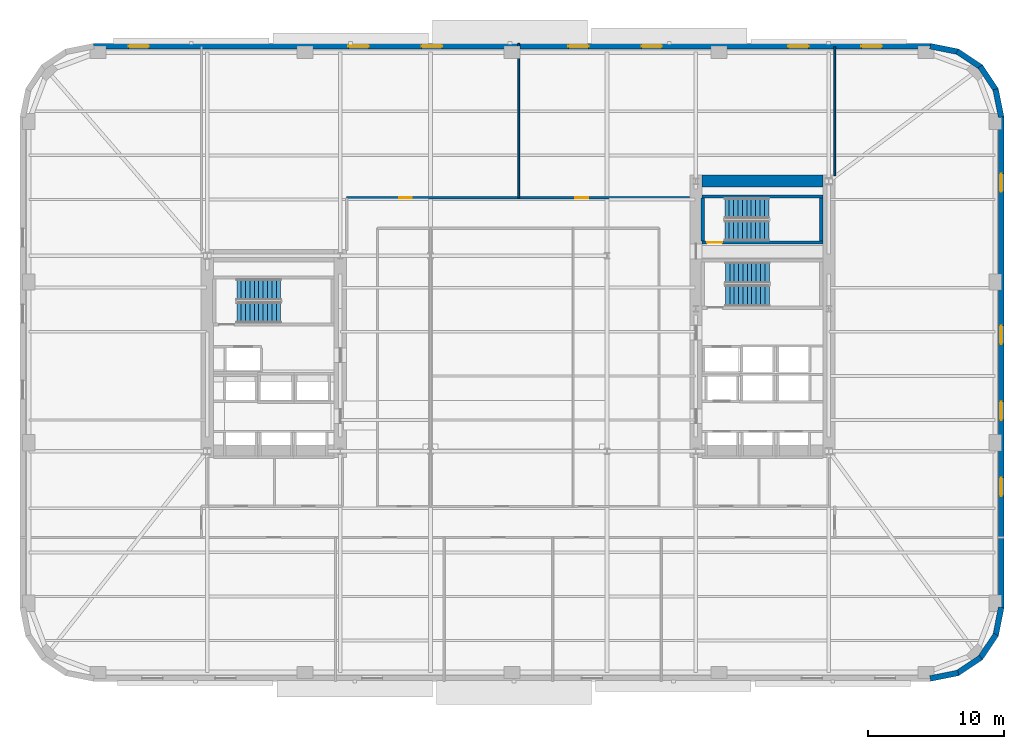
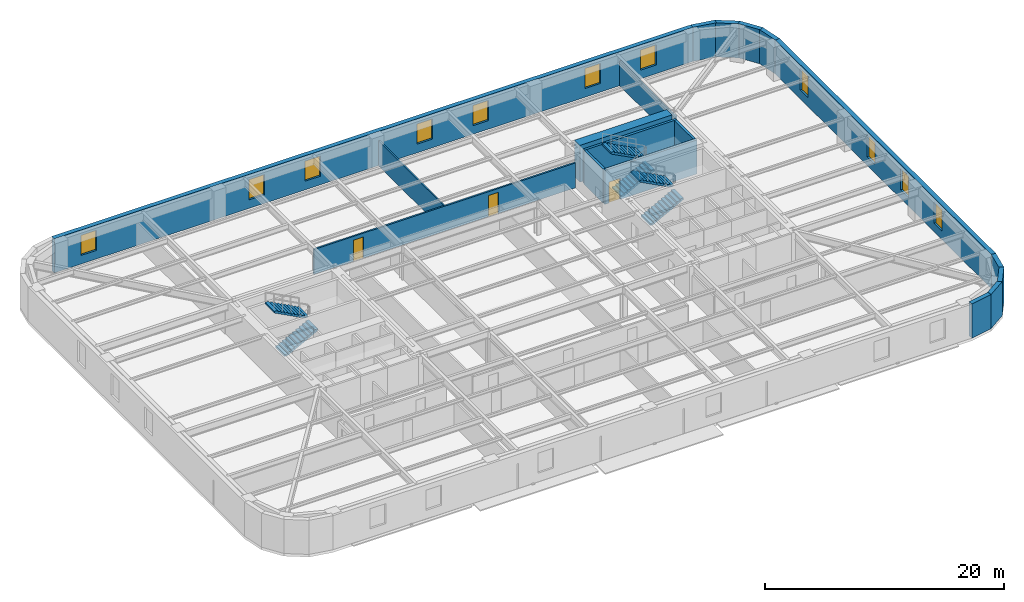
# One storey, part 7 of 14: 18 walls, 11 windows, 6 stair flights, 3 doors, 14 openings, 3 elements without a shape of their own.
"""IFC4 building model written with IfcOpenShell, lengths in metres."""

from ifc_helpers import new_model, si_unit, direction, frame, frame_2d, origin, place, context, subcontext, project, spatial, polyline, rectangle, outline, extrude, material, layer, layer_set, type_object, element, fill, aggregate, save


model = new_model("IFC4")

# Units and contexts
model_context = context("Model", 3, precision=1e-05, world=origin(), true_north=direction((0.0, 1.0)))
body_context = subcontext(model_context, "Body", "Model", "MODEL_VIEW")
ifc_project = project(units=[si_unit("LENGTHUNIT", "METRE"), si_unit("AREAUNIT", "SQUARE_METRE"), si_unit("VOLUMEUNIT", "CUBIC_METRE"), si_unit("PLANEANGLEUNIT", "RADIAN"), si_unit("MASSUNIT", "GRAM", prefix="KILO")], contexts=[model_context])

# Site, building, storey
site_placement = place(None, origin())
site = spatial("IfcSite", under=ifc_project, at=site_placement, CompositionType="ELEMENT")
building_placement = place(site_placement, origin())
building = spatial("IfcBuilding", under=site, at=building_placement, Name="Kolvaren Arena Tower", CompositionType="ELEMENT")
storey_placement = place(building_placement, frame((0.0, 0.0, 57.0)))
storey = spatial("IfcBuildingStorey", under=building, at=storey_placement, Name="L11", CompositionType="ELEMENT", Elevation=57.0)

# Wall, openings, doors
ifc_material_1 = material(Name="Gypsum board acoustic assembly", Category="gypsum")
ifc_layer_1 = layer(ifc_material_1, 0.159912109375)
ifc_layer_set_1 = layer_set([ifc_layer_1], Name="Gypsum board acoustic assembly")
wall_type_1 = type_object("IfcWallType", Name="CORR-160", PredefinedType="PARTITIONING", material=ifc_layer_set_1)
wall_1_placement = place(storey_placement, frame((24.820068359375, 38.1201171875, 0.0), z_axis=(0.0, 0.0, 1.0), x_axis=(1.0, 0.0, 0.0)))
wall_1 = element("IfcWall", 1, at=wall_1_placement, inside=storey, type_object=wall_type_1, Name="Interior Partition Wall (L11)", PredefinedType="PARTITIONING", context=body_context, shape_type="SweptSolid", body=[
    extrude(rectangle(XDim=25.260009765625, YDim=0.159912109375, at=frame_2d((12.6298828125, 0.0))), origin(), (0.0, 0.0, 1.0), 2.5400390625),
])
opening_1_placement = place(wall_1_placement, frame((3.85498046875, 0.0, 0.0)))
opening_1 = element("IfcOpeningElement", 2, at=opening_1_placement, cuts=wall_1, Name="Opening D05", PredefinedType="OPENING", context=body_context, shape_type="SweptSolid", body=[
    extrude(rectangle(XDim=0.949951171875, YDim=2.14990234375, at=frame_2d((0.47509765625, 1.074951171875))), frame((0.0, 0.08984375, 0.0), z_axis=(0.0, -1.0, 0.0), x_axis=(1.0, 0.0, 0.0)), (0.0, 0.0, 1.0), 0.179931640625),
])
opening_2_placement = place(wall_1_placement, frame((16.85498046875, 0.0, 0.0)))
opening_2 = element("IfcOpeningElement", 3, at=opening_2_placement, cuts=wall_1, Name="Opening D05", PredefinedType="OPENING", context=body_context, shape_type="SweptSolid", body=[
    extrude(rectangle(XDim=0.949951171875, YDim=2.14990234375, at=frame_2d((0.47509765625, 1.074951171875))), frame((0.0, 0.08984375, 0.0), z_axis=(0.0, -1.0, 0.0), x_axis=(1.0, 0.0, 0.0)), (0.0, 0.0, 1.0), 0.179931640625),
])
ifc_material_2 = material(Name="Solid-core oak acoustic office door", Category="wood")
door_type_1 = type_object("IfcDoorType", Name="DOOR-OF-095", OperationType="NOTDEFINED", PredefinedType="DOOR", material=ifc_material_2)
door_1_placement = place(opening_1_placement, origin())
door_1 = element("IfcDoor", 4, at=door_1_placement, inside=storey, type_object=door_type_1, Name="Design Studio Door (L11)", OperationType="SINGLE_SWING_RIGHT", OverallHeight=2.14990234375, OverallWidth=0.949951171875, PredefinedType="DOOR", context=body_context, shape_type="SweptSolid", body=[
    extrude(rectangle(XDim=0.949951171875, YDim=2.14990234375, at=frame_2d((0.47509765625, 1.074951171875))), frame((0.0, 0.02490234375, 0.0), z_axis=(0.0, -1.0, 0.0), x_axis=(1.0, 0.0, 0.0)), (0.0, 0.0, 1.0), 0.050048828125),
])
fill(opening_1, door_1)
door_2_placement = place(opening_2_placement, origin())
door_2 = element("IfcDoor", 5, at=door_2_placement, inside=storey, type_object=door_type_1, Name="Technical Engineering Office Door (L11)", OperationType="SINGLE_SWING_LEFT", OverallHeight=2.14990234375, OverallWidth=0.949951171875, PredefinedType="DOOR", context=body_context, shape_type="SweptSolid", body=[
    extrude(rectangle(XDim=0.949951171875, YDim=2.14990234375, at=frame_2d((0.47509765625, 1.074951171875))), frame((0.0, 0.02490234375, 0.0), z_axis=(0.0, -1.0, 0.0), x_axis=(1.0, 0.0, 0.0)), (0.0, 0.0, 1.0), 0.050048828125),
])
fill(opening_2, door_2)

# Walls
ifc_material_3 = material(Name="Concrete 80 MPa", Category="concrete")
ifc_layer_2 = layer(ifc_material_3, 0.89990234375)
ifc_layer_set_2 = layer_set([ifc_layer_2], Name="Concrete 80 MPa")
wall_type_2 = type_object("IfcWallType", Name="CWALL-900", PredefinedType="SHEAR", material=ifc_layer_set_2)
wall_2_placement = place(storey_placement, frame((51.0, 39.35009765625, -0.27001953125), z_axis=(0.0, 0.0, 1.0), x_axis=(1.0, 0.0, 0.0)))
element("IfcWall", 6, at=wall_2_placement, inside=storey, type_object=wall_type_2, Name="Core Shear Wall EC-NORTH (L11)", PredefinedType="SHEAR", context=body_context, shape_type="SweptSolid", body=[
    extrude(rectangle(XDim=8.89990234375, YDim=0.89990234375, at=frame_2d((4.449951171875, 0.0))), origin(), (0.0, 0.0, 1.0), 3.75),
])
ifc_material_4 = material(Name="Precast concrete C50/60", Category="concrete")
ifc_layer_3 = layer(ifc_material_4, 0.419921875)
ifc_layer_set_3 = layer_set([ifc_layer_3], Name="Precast concrete C50/60")
wall_type_3 = type_object("IfcWallType", Name="EXT-PIER1", PredefinedType="SOLIDWALL", material=ifc_layer_set_3)
for number, where, z_axis, x_axis, name in (
    (7, (69.87548828125, 3.1171875, 0.0), (0.0, 0.0, 1.0), (-0.9807762837, -0.195135546048, 0.0), "Exterior Precast Masonry-Frame Wall (L11)"),
    (8, (71.5517578125, 4.256103515625, 0.0), (0.0, 0.0, 1.0), (-0.831515102434, -0.555502146192, 0.0), "Exterior Precast Masonry-Frame Wall (L11)"),
    (9, (72.664306640625, 5.9501953125, 0.0), (0.0, 0.0, 1.0), (-0.555502146192, -0.831515102434, 0.0), "Exterior Precast Masonry-Frame Wall (L11)"),
    (10, (73.0439453125, 7.94091796875, 0.0), (0.0, 0.0, 1.0), (-0.195135546048, -0.9807762837, 0.0), "Exterior Precast Masonry-Frame Wall (L11)"),
):
    element("IfcWall", number, at=place(storey_placement, frame(where, z_axis=z_axis, x_axis=x_axis)), inside=storey, type_object=wall_type_3, Name=name, PredefinedType="SOLIDWALL", context=body_context, shape_type="SweptSolid", body=[
        extrude(rectangle(XDim=2.10693359375, YDim=0.419921875, at=frame_2d((1.053466796875, 0.0))), origin(), (0.0, 0.0, 1.0), 3.47998046875),
    ])

# Wall, openings, windows
wall_3_placement = place(storey_placement, frame((73.0400390625, 44.10009765625, 0.0), z_axis=(0.0, 0.0, 1.0), x_axis=(0.0, -1.0, 0.0)))
wall_3 = element("IfcWall", 11, at=wall_3_placement, inside=storey, type_object=wall_type_3, Name="Exterior Precast Masonry-Frame Wall (L11)", PredefinedType="SOLIDWALL", context=body_context, shape_type="SweptSolid", body=[
    extrude(rectangle(XDim=36.2001953125, YDim=0.419921875, at=frame_2d((18.10009765625, 0.0))), origin(), (0.0, 0.0, 1.0), 3.47998046875),
])
opening_3_placement = place(wall_3_placement, frame((4.199951171875, 0.0, 0.8798828125)))
opening_3 = element("IfcOpeningElement", 12, at=opening_3_placement, cuts=wall_3, Name="Opening W04", PredefinedType="OPENING", context=body_context, shape_type="SweptSolid", body=[
    extrude(rectangle(XDim=1.35009765625, YDim=2.199951171875, at=frame_2d((0.675048828125, 1.10009765625))), frame((0.0, 0.219970703125, 0.0), z_axis=(0.0, -1.0, 0.0), x_axis=(1.0, 0.0, 0.0)), (0.0, 0.0, 1.0), 0.43994140625),
])
opening_4_placement = place(wall_3_placement, frame((15.39990234375, 0.0, 0.8798828125)))
opening_4 = element("IfcOpeningElement", 13, at=opening_4_placement, cuts=wall_3, Name="Opening W04", PredefinedType="OPENING", context=body_context, shape_type="SweptSolid", body=[
    extrude(rectangle(XDim=1.35009765625, YDim=2.199951171875, at=frame_2d((0.675048828125, 1.10009765625))), frame((0.0, 0.219970703125, 0.0), z_axis=(0.0, -1.0, 0.0), x_axis=(1.0, 0.0, 0.0)), (0.0, 0.0, 1.0), 0.43994140625),
])
opening_5_placement = place(wall_3_placement, frame((21.0, 0.0, 0.8798828125)))
opening_5 = element("IfcOpeningElement", 14, at=opening_5_placement, cuts=wall_3, Name="Opening W04", PredefinedType="OPENING", context=body_context, shape_type="SweptSolid", body=[
    extrude(rectangle(XDim=1.35009765625, YDim=2.199951171875, at=frame_2d((0.675048828125, 1.10009765625))), frame((0.0, 0.219970703125, 0.0), z_axis=(0.0, -1.0, 0.0), x_axis=(1.0, 0.0, 0.0)), (0.0, 0.0, 1.0), 0.43994140625),
])
opening_6_placement = place(wall_3_placement, frame((26.60009765625, 0.0, 0.8798828125)))
opening_6 = element("IfcOpeningElement", 15, at=opening_6_placement, cuts=wall_3, Name="Opening W04", PredefinedType="OPENING", context=body_context, shape_type="SweptSolid", body=[
    extrude(rectangle(XDim=1.35009765625, YDim=2.199951171875, at=frame_2d((0.675048828125, 1.10009765625))), frame((0.0, 0.219970703125, 0.0), z_axis=(0.0, -1.0, 0.0), x_axis=(1.0, 0.0, 0.0)), (0.0, 0.0, 1.0), 0.43994140625),
])
ifc_material_5 = material(Name="Triple-glazed curved-facet corner window", Category="glass")
window_type_1 = type_object("IfcWindowType", Name="WIN-CRN-A", PartitioningType="SINGLE_PANEL", PredefinedType="WINDOW", material=ifc_material_5)
window_1_placement = place(opening_3_placement, origin())
window_1 = element("IfcWindow", 16, at=window_1_placement, inside=storey, type_object=window_type_1, Name="End-Wall Punched Window (L11)", OverallHeight=2.199951171875, OverallWidth=1.35009765625, PartitioningType="SINGLE_PANEL", PredefinedType="WINDOW", context=body_context, shape_type="SweptSolid", body=[
    extrude(rectangle(XDim=1.35009765625, YDim=2.199951171875, at=frame_2d((0.675048828125, 1.10009765625))), frame((0.0, 0.030029296875, 0.0), z_axis=(0.0, -1.0, 0.0), x_axis=(1.0, 0.0, 0.0)), (0.0, 0.0, 1.0), 0.06005859375),
])
fill(opening_3, window_1)
window_2_placement = place(opening_4_placement, origin())
window_2 = element("IfcWindow", 17, at=window_2_placement, inside=storey, type_object=window_type_1, Name="End-Wall Punched Window (L11)", OverallHeight=2.199951171875, OverallWidth=1.35009765625, PartitioningType="SINGLE_PANEL", PredefinedType="WINDOW", context=body_context, shape_type="SweptSolid", body=[
    extrude(rectangle(XDim=1.35009765625, YDim=2.199951171875, at=frame_2d((0.675048828125, 1.10009765625))), frame((0.0, 0.030029296875, 0.0), z_axis=(0.0, -1.0, 0.0), x_axis=(1.0, 0.0, 0.0)), (0.0, 0.0, 1.0), 0.06005859375),
])
fill(opening_4, window_2)
window_3_placement = place(opening_5_placement, origin())
window_3 = element("IfcWindow", 18, at=window_3_placement, inside=storey, type_object=window_type_1, Name="End-Wall Punched Window (L11)", OverallHeight=2.199951171875, OverallWidth=1.35009765625, PartitioningType="SINGLE_PANEL", PredefinedType="WINDOW", context=body_context, shape_type="SweptSolid", body=[
    extrude(rectangle(XDim=1.35009765625, YDim=2.199951171875, at=frame_2d((0.675048828125, 1.10009765625))), frame((0.0, 0.030029296875, 0.0), z_axis=(0.0, -1.0, 0.0), x_axis=(1.0, 0.0, 0.0)), (0.0, 0.0, 1.0), 0.06005859375),
])
fill(opening_5, window_3)
window_4_placement = place(opening_6_placement, origin())
window_4 = element("IfcWindow", 19, at=window_4_placement, inside=storey, type_object=window_type_1, Name="End-Wall Punched Window (L11)", OverallHeight=2.199951171875, OverallWidth=1.35009765625, PartitioningType="SINGLE_PANEL", PredefinedType="WINDOW", context=body_context, shape_type="SweptSolid", body=[
    extrude(rectangle(XDim=1.35009765625, YDim=2.199951171875, at=frame_2d((0.675048828125, 1.10009765625))), frame((0.0, 0.030029296875, 0.0), z_axis=(0.0, -1.0, 0.0), x_axis=(1.0, 0.0, 0.0)), (0.0, 0.0, 1.0), 0.06005859375),
])
fill(opening_6, window_4)

# Walls
for number, where, z_axis, x_axis, name in (
    (20, (72.6328125, 46.12548828125, 0.0), (0.0, 0.0, 1.0), (0.195135546048, -0.9807762837, 0.0), "Exterior Precast Masonry-Frame Wall (L11)"),
    (21, (71.493896484375, 47.8017578125, 0.0), (0.0, 0.0, 1.0), (0.555502146192, -0.831515102434, 0.0), "Exterior Precast Masonry-Frame Wall (L11)"),
    (22, (69.7998046875, 48.914306640625, 0.0), (0.0, 0.0, 1.0), (0.831515102434, -0.555502146192, 0.0), "Exterior Precast Masonry-Frame Wall (L11)"),
    (23, (67.80908203125, 49.2939453125, 0.0), (0.0, 0.0, 1.0), (0.9807762837, -0.195135546048, 0.0), "Exterior Precast Masonry-Frame Wall (L11)"),
):
    element("IfcWall", number, at=place(storey_placement, frame(where, z_axis=z_axis, x_axis=x_axis)), inside=storey, type_object=wall_type_3, Name=name, PredefinedType="SOLIDWALL", context=body_context, shape_type="SweptSolid", body=[
        extrude(rectangle(XDim=2.10693359375, YDim=0.419921875, at=frame_2d((1.053466796875, 0.0))), origin(), (0.0, 0.0, 1.0), 3.47998046875),
    ])

# Wall, openings, windows
wall_4_placement = place(storey_placement, frame((6.14990234375, 49.2900390625, 0.0), z_axis=(0.0, 0.0, 1.0), x_axis=(1.0, 0.0, 0.0)))
wall_4 = element("IfcWall", 24, at=wall_4_placement, inside=storey, type_object=wall_type_3, Name="Exterior Precast Masonry-Frame Wall (L11)", PredefinedType="SOLIDWALL", context=body_context, shape_type="SweptSolid", body=[
    extrude(rectangle(XDim=61.7001953125, YDim=0.419921875, at=frame_2d((30.85009765625, 0.0))), origin(), (0.0, 0.0, 1.0), 3.47998046875),
])
opening_7_placement = place(wall_4_placement, frame((2.60009765625, 0.0, 0.8798828125)))
opening_7 = element("IfcOpeningElement", 25, at=opening_7_placement, cuts=wall_4, Name="Opening W03", PredefinedType="OPENING", context=body_context, shape_type="SweptSolid", body=[
    extrude(rectangle(XDim=1.5, YDim=2.050048828125, at=frame_2d((0.75, 1.02490234375))), frame((0.0, 0.219970703125, 0.0), z_axis=(0.0, -1.0, 0.0), x_axis=(1.0, 0.0, 0.0)), (0.0, 0.0, 1.0), 0.43994140625),
])
opening_8_placement = place(wall_4_placement, frame((18.800048828125, 0.0, 0.8798828125)))
opening_8 = element("IfcOpeningElement", 26, at=opening_8_placement, cuts=wall_4, Name="Opening W03", PredefinedType="OPENING", context=body_context, shape_type="SweptSolid", body=[
    extrude(rectangle(XDim=1.5, YDim=2.050048828125, at=frame_2d((0.75, 1.02490234375))), frame((0.0, 0.219970703125, 0.0), z_axis=(0.0, -1.0, 0.0), x_axis=(1.0, 0.0, 0.0)), (0.0, 0.0, 1.0), 0.43994140625),
])
opening_9_placement = place(wall_4_placement, frame((24.199951171875, 0.0, 0.8798828125)))
opening_9 = element("IfcOpeningElement", 27, at=opening_9_placement, cuts=wall_4, Name="Opening W03", PredefinedType="OPENING", context=body_context, shape_type="SweptSolid", body=[
    extrude(rectangle(XDim=1.5, YDim=2.050048828125, at=frame_2d((0.75, 1.02490234375))), frame((0.0, 0.219970703125, 0.0), z_axis=(0.0, -1.0, 0.0), x_axis=(1.0, 0.0, 0.0)), (0.0, 0.0, 1.0), 0.43994140625),
])
opening_10_placement = place(wall_4_placement, frame((35.0, 0.0, 0.8798828125)))
opening_10 = element("IfcOpeningElement", 28, at=opening_10_placement, cuts=wall_4, Name="Opening W03", PredefinedType="OPENING", context=body_context, shape_type="SweptSolid", body=[
    extrude(rectangle(XDim=1.5, YDim=2.050048828125, at=frame_2d((0.75, 1.02490234375))), frame((0.0, 0.219970703125, 0.0), z_axis=(0.0, -1.0, 0.0), x_axis=(1.0, 0.0, 0.0)), (0.0, 0.0, 1.0), 0.43994140625),
])
opening_11_placement = place(wall_4_placement, frame((40.39990234375, 0.0, 0.8798828125)))
opening_11 = element("IfcOpeningElement", 29, at=opening_11_placement, cuts=wall_4, Name="Opening W03", PredefinedType="OPENING", context=body_context, shape_type="SweptSolid", body=[
    extrude(rectangle(XDim=1.5, YDim=2.050048828125, at=frame_2d((0.75, 1.02490234375))), frame((0.0, 0.219970703125, 0.0), z_axis=(0.0, -1.0, 0.0), x_axis=(1.0, 0.0, 0.0)), (0.0, 0.0, 1.0), 0.43994140625),
])
opening_12_placement = place(wall_4_placement, frame((51.199951171875, 0.0, 0.8798828125)))
opening_12 = element("IfcOpeningElement", 30, at=opening_12_placement, cuts=wall_4, Name="Opening W03", PredefinedType="OPENING", context=body_context, shape_type="SweptSolid", body=[
    extrude(rectangle(XDim=1.5, YDim=2.050048828125, at=frame_2d((0.75, 1.02490234375))), frame((0.0, 0.219970703125, 0.0), z_axis=(0.0, -1.0, 0.0), x_axis=(1.0, 0.0, 0.0)), (0.0, 0.0, 1.0), 0.43994140625),
])
opening_13_placement = place(wall_4_placement, frame((56.60009765625, 0.0, 0.8798828125)))
opening_13 = element("IfcOpeningElement", 31, at=opening_13_placement, cuts=wall_4, Name="Opening W03", PredefinedType="OPENING", context=body_context, shape_type="SweptSolid", body=[
    extrude(rectangle(XDim=1.5, YDim=2.050048828125, at=frame_2d((0.75, 1.02490234375))), frame((0.0, 0.219970703125, 0.0), z_axis=(0.0, -1.0, 0.0), x_axis=(1.0, 0.0, 0.0)), (0.0, 0.0, 1.0), 0.43994140625),
])
ifc_material_6 = material(Name="Triple-glazed low-E aluminium window", Category="aluminium")
window_type_2 = type_object("IfcWindowType", Name="WIN-OFF-C", PartitioningType="SINGLE_PANEL", PredefinedType="WINDOW", material=ifc_material_6)
window_5_placement = place(opening_7_placement, origin())
window_5 = element("IfcWindow", 32, at=window_5_placement, inside=storey, type_object=window_type_2, Name="Punched Precast-Pier Window (L11)", OverallHeight=2.050048828125, OverallWidth=1.5, PartitioningType="SINGLE_PANEL", PredefinedType="WINDOW", context=body_context, shape_type="SweptSolid", body=[
    extrude(rectangle(XDim=1.5, YDim=2.050048828125, at=frame_2d((0.75, 1.02490234375))), frame((0.0, 0.030029296875, 0.0), z_axis=(0.0, -1.0, 0.0), x_axis=(1.0, 0.0, 0.0)), (0.0, 0.0, 1.0), 0.06005859375),
])
fill(opening_7, window_5)
window_6_placement = place(opening_8_placement, origin())
window_6 = element("IfcWindow", 33, at=window_6_placement, inside=storey, type_object=window_type_2, Name="Punched Precast-Pier Window (L11)", OverallHeight=2.050048828125, OverallWidth=1.5, PartitioningType="SINGLE_PANEL", PredefinedType="WINDOW", context=body_context, shape_type="SweptSolid", body=[
    extrude(rectangle(XDim=1.5, YDim=2.050048828125, at=frame_2d((0.75, 1.02490234375))), frame((0.0, 0.030029296875, 0.0), z_axis=(0.0, -1.0, 0.0), x_axis=(1.0, 0.0, 0.0)), (0.0, 0.0, 1.0), 0.06005859375),
])
fill(opening_8, window_6)
window_7_placement = place(opening_9_placement, origin())
window_7 = element("IfcWindow", 34, at=window_7_placement, inside=storey, type_object=window_type_2, Name="Punched Precast-Pier Window (L11)", OverallHeight=2.050048828125, OverallWidth=1.5, PartitioningType="SINGLE_PANEL", PredefinedType="WINDOW", context=body_context, shape_type="SweptSolid", body=[
    extrude(rectangle(XDim=1.5, YDim=2.050048828125, at=frame_2d((0.75, 1.02490234375))), frame((0.0, 0.030029296875, 0.0), z_axis=(0.0, -1.0, 0.0), x_axis=(1.0, 0.0, 0.0)), (0.0, 0.0, 1.0), 0.06005859375),
])
fill(opening_9, window_7)
window_8_placement = place(opening_10_placement, origin())
window_8 = element("IfcWindow", 35, at=window_8_placement, inside=storey, type_object=window_type_2, Name="Punched Precast-Pier Window (L11)", OverallHeight=2.050048828125, OverallWidth=1.5, PartitioningType="SINGLE_PANEL", PredefinedType="WINDOW", context=body_context, shape_type="SweptSolid", body=[
    extrude(rectangle(XDim=1.5, YDim=2.050048828125, at=frame_2d((0.75, 1.02490234375))), frame((0.0, 0.030029296875, 0.0), z_axis=(0.0, -1.0, 0.0), x_axis=(1.0, 0.0, 0.0)), (0.0, 0.0, 1.0), 0.06005859375),
])
fill(opening_10, window_8)
window_9_placement = place(opening_11_placement, origin())
window_9 = element("IfcWindow", 36, at=window_9_placement, inside=storey, type_object=window_type_2, Name="Punched Precast-Pier Window (L11)", OverallHeight=2.050048828125, OverallWidth=1.5, PartitioningType="SINGLE_PANEL", PredefinedType="WINDOW", context=body_context, shape_type="SweptSolid", body=[
    extrude(rectangle(XDim=1.5, YDim=2.050048828125, at=frame_2d((0.75, 1.02490234375))), frame((0.0, 0.030029296875, 0.0), z_axis=(0.0, -1.0, 0.0), x_axis=(1.0, 0.0, 0.0)), (0.0, 0.0, 1.0), 0.06005859375),
])
fill(opening_11, window_9)
window_10_placement = place(opening_12_placement, origin())
window_10 = element("IfcWindow", 37, at=window_10_placement, inside=storey, type_object=window_type_2, Name="Punched Precast-Pier Window (L11)", OverallHeight=2.050048828125, OverallWidth=1.5, PartitioningType="SINGLE_PANEL", PredefinedType="WINDOW", context=body_context, shape_type="SweptSolid", body=[
    extrude(rectangle(XDim=1.5, YDim=2.050048828125, at=frame_2d((0.75, 1.02490234375))), frame((0.0, 0.030029296875, 0.0), z_axis=(0.0, -1.0, 0.0), x_axis=(1.0, 0.0, 0.0)), (0.0, 0.0, 1.0), 0.06005859375),
])
fill(opening_12, window_10)
window_11_placement = place(opening_13_placement, origin())
window_11 = element("IfcWindow", 38, at=window_11_placement, inside=storey, type_object=window_type_2, Name="Punched Precast-Pier Window (L11)", OverallHeight=2.050048828125, OverallWidth=1.5, PartitioningType="SINGLE_PANEL", PredefinedType="WINDOW", context=body_context, shape_type="SweptSolid", body=[
    extrude(rectangle(XDim=1.5, YDim=2.050048828125, at=frame_2d((0.75, 1.02490234375))), frame((0.0, 0.030029296875, 0.0), z_axis=(0.0, -1.0, 0.0), x_axis=(1.0, 0.0, 0.0)), (0.0, 0.0, 1.0), 0.06005859375),
])
fill(opening_13, window_11)

# Walls
ifc_material_7 = material(Name="Gypsum board partition assembly", Category="gypsum")
ifc_layer_4 = layer(ifc_material_7, 0.135009765625)
ifc_layer_set_4 = layer_set([ifc_layer_4], Name="Gypsum board partition assembly")
wall_type_4 = type_object("IfcWallType", Name="PART-135", PredefinedType="PARTITIONING", material=ifc_layer_set_4)
wall_5_placement = place(storey_placement, frame((37.5, 38.1201171875, 0.0), z_axis=(0.0, 0.0, 1.0), x_axis=(0.0, 1.0, 0.0)))
element("IfcWall", 39, at=wall_5_placement, inside=storey, type_object=wall_type_4, Name="Interior Partition Wall (L11)", PredefinedType="PARTITIONING", context=body_context, shape_type="SweptSolid", body=[
    extrude(rectangle(XDim=11.3798828125, YDim=0.135009765625, at=frame_2d((5.68994140625, 0.0))), origin(), (0.0, 0.0, 1.0), 2.5400390625),
])
wall_6_placement = place(storey_placement, frame((60.780029296875, 39.75, 0.0), z_axis=(0.0, 0.0, 1.0), x_axis=(0.0, 1.0, 0.0)))
element("IfcWall", 40, at=wall_6_placement, inside=storey, type_object=wall_type_4, Name="Interior Partition Wall (L11)", PredefinedType="PARTITIONING", context=body_context, shape_type="SweptSolid", body=[
    extrude(rectangle(XDim=9.510009765625, YDim=0.135009765625, at=frame_2d((4.7548828125, 0.0))), origin(), (0.0, 0.0, 1.0), 2.5400390625),
])

# Wall, opening, door
ifc_material_8 = material(Name="Concrete 45 MPa", Category="concrete")
ifc_layer_5 = layer(ifc_material_8, 0.25)
ifc_layer_set_5 = layer_set([ifc_layer_5], Name="Concrete 45 MPa")
wall_type_5 = type_object("IfcWallType", Name="SHAFT-250", PredefinedType="SOLIDWALL", material=ifc_layer_set_5)
wall_7_placement = place(storey_placement, frame((59.89990234375, 34.830078125, 0.0), z_axis=(0.0, 0.0, 1.0), x_axis=(-1.0, 0.0, 0.0)))
wall_7 = element("IfcWall", 41, at=wall_7_placement, inside=storey, type_object=wall_type_5, Name="Core Shaft Wall (L11)", PredefinedType="SOLIDWALL", context=body_context, shape_type="SweptSolid", body=[
    extrude(rectangle(XDim=8.89990234375, YDim=0.239990234375, at=frame_2d((4.449951171875, 0.0))), origin(), (0.0, 0.0, 1.0), 3.47998046875),
])
opening_14_placement = place(wall_7_placement, frame((7.419921875, 0.0, 0.0)))
opening_14 = element("IfcOpeningElement", 42, at=opening_14_placement, cuts=wall_7, Name="Opening D03", PredefinedType="OPENING", context=body_context, shape_type="SweptSolid", body=[
    extrude(rectangle(XDim=1.10009765625, YDim=2.14990234375, at=frame_2d((0.550048828125, 1.074951171875))), frame((0.0, 0.1298828125, 0.0), z_axis=(0.0, -1.0, 0.0), x_axis=(1.0, 0.0, 0.0)), (0.0, 0.0, 1.0), 0.260009765625),
])
ifc_material_9 = material(Name="Fire-rated steel exit stair door", Category="steel")
door_type_2 = type_object("IfcDoorType", Name="DOOR-ST-110", OperationType="NOTDEFINED", PredefinedType="DOOR", material=ifc_material_9)
door_3_placement = place(opening_14_placement, origin())
door_3 = element("IfcDoor", 43, at=door_3_placement, inside=storey, type_object=door_type_2, Name="Stair ST-E2 Fire Door (L11)", OperationType="SINGLE_SWING_LEFT", OverallHeight=2.14990234375, OverallWidth=1.10009765625, PredefinedType="DOOR", context=body_context, shape_type="SweptSolid", body=[
    extrude(rectangle(XDim=1.10009765625, YDim=2.14990234375, at=frame_2d((0.550048828125, 1.074951171875))), frame((0.0, 0.02490234375, 0.0), z_axis=(0.0, -1.0, 0.0), x_axis=(1.0, 0.0, 0.0)), (0.0, 0.0, 1.0), 0.050048828125),
])
fill(opening_14, door_3)

# Walls
wall_8_placement = place(storey_placement, frame((51.0, 38.219970703125, 0.0), z_axis=(0.0, 0.0, 1.0), x_axis=(1.0, 0.0, 0.0)))
element("IfcWall", 44, at=wall_8_placement, inside=storey, type_object=wall_type_5, Name="Core Shaft Wall (L11)", PredefinedType="SOLIDWALL", context=body_context, shape_type="SweptSolid", body=[
    extrude(rectangle(XDim=8.89990234375, YDim=0.239990234375, at=frame_2d((4.449951171875, 0.0))), origin(), (0.0, 0.0, 1.0), 3.47998046875),
])
for number, where, z_axis, x_axis, name in (
    (45, (51.06005859375, 34.949951171875, 0.0), (0.0, 0.0, 1.0), (0.0, 1.0, 0.0), "Core Shaft Wall (L11)"),
    (46, (59.780029296875, 34.949951171875, 0.0), (0.0, 0.0, 1.0), (0.0, 1.0, 0.0), "Core Shaft Wall (L11)"),
):
    element("IfcWall", number, at=place(storey_placement, frame(where, z_axis=z_axis, x_axis=x_axis)), inside=storey, type_object=wall_type_5, Name=name, PredefinedType="SOLIDWALL", context=body_context, shape_type="SweptSolid", body=[
        extrude(rectangle(XDim=3.150146484375, YDim=0.239990234375, at=frame_2d((1.5751953125, 0.0))), origin(), (0.0, 0.0, 1.0), 3.47998046875),
    ])

# Stair, stair flights
stair_type_1 = type_object("IfcStairType", Name="STAIR-CORE-150", PredefinedType="HALF_TURN_STAIR", material=ifc_material_8)
stair_1_placement = place(storey_placement, origin())
stair_1 = element("IfcStair", 47, at=stair_1_placement, inside=storey, type_object=stair_type_1, Name="L11 ST-E2", PredefinedType="HALF_TURN_STAIR")
stair_flight_type_1 = type_object("IfcStairFlightType", Name="FLT-150", PredefinedType="STRAIGHT", material=ifc_material_8)
stair_flight_1_placement = place(storey_placement, frame((52.679931640625, 35.699951171875, 0.0), z_axis=(0.0, 0.0, 1.0), x_axis=(1.0, 0.0, 0.0)))
stair_flight_1 = element("IfcStairFlight", 48, at=stair_flight_1_placement, type_object=stair_flight_type_1, Name="ST-E2 flight 1", NumberOfRisers=11, NumberOfTreads=10, PredefinedType="STRAIGHT", RiserHeight=0.170454545, TreadLength=0.324, context=body_context, shape_type="SweptSolid", body=[
    extrude(outline(polyline([(0.0, 0.0), (0.0, 0.17041015625), (0.323974609375, 0.17041015625), (0.323974609375, 0.3408203125), (0.64794921875, 0.3408203125), (0.64794921875, 0.511474609375), (0.971923828125, 0.511474609375), (0.971923828125, 0.681884765625), (1.2958984375, 0.681884765625), (1.2958984375, 0.852294921875), (1.6201171875, 0.852294921875), (1.6201171875, 1.022705078125), (1.944091796875, 1.022705078125), (1.944091796875, 1.193115234375), (2.26806640625, 1.193115234375), (2.26806640625, 1.363525390625), (2.592041015625, 1.363525390625), (2.592041015625, 1.5341796875), (2.916015625, 1.5341796875), (2.916015625, 1.70458984375), (3.239990234375, 1.70458984375), (3.239990234375, 1.875), (3.239990234375, 1.53515625), (0.322021484375, 0.0), (0.0, 0.0)])), frame((0.0, 0.75, 0.0), z_axis=(0.0, -1.0, 0.0), x_axis=(1.0, 0.0, 0.0)), (0.0, 0.0, 1.0), 1.5),
])
stair_flight_2_placement = place(storey_placement, frame((55.919921875, 37.35009765625, 1.875), z_axis=(0.0, 0.0, 1.0), x_axis=(-1.0, 0.0, 0.0)))
stair_flight_2 = element("IfcStairFlight", 49, at=stair_flight_2_placement, type_object=stair_flight_type_1, Name="ST-E2 flight 2", NumberOfRisers=11, NumberOfTreads=10, PredefinedType="STRAIGHT", RiserHeight=0.170454545, TreadLength=0.324, context=body_context, shape_type="SweptSolid", body=[
    extrude(outline(polyline([(0.0, 0.0), (0.0, 0.17041015625), (0.323974609375, 0.17041015625), (0.323974609375, 0.3408203125), (0.64794921875, 0.3408203125), (0.64794921875, 0.511474609375), (0.971923828125, 0.511474609375), (0.971923828125, 0.681884765625), (1.2958984375, 0.681884765625), (1.2958984375, 0.852294921875), (1.6201171875, 0.852294921875), (1.6201171875, 1.022705078125), (1.944091796875, 1.022705078125), (1.944091796875, 1.193115234375), (2.26806640625, 1.193115234375), (2.26806640625, 1.363525390625), (2.592041015625, 1.363525390625), (2.592041015625, 1.5341796875), (2.916015625, 1.5341796875), (2.916015625, 1.70458984375), (3.239990234375, 1.70458984375), (3.239990234375, 1.875), (3.239990234375, 1.53515625), (0.322021484375, 0.0), (0.0, 0.0)])), frame((0.0, 0.75, 0.0), z_axis=(0.0, -1.0, 0.0), x_axis=(1.0, 0.0, 0.0)), (0.0, 0.0, 1.0), 1.5),
])
aggregate(stair_1, [stair_flight_1, stair_flight_2])

stair_type_2 = type_object("IfcStairType", Name="STAIR-CORE-165", PredefinedType="HALF_TURN_STAIR", material=ifc_material_8)
stair_2_placement = place(storey_placement, origin())
stair_2 = element("IfcStair", 50, at=stair_2_placement, inside=storey, type_object=stair_type_2, Name="L11 ST-W1", PredefinedType="HALF_TURN_STAIR")
stair_flight_type_2 = type_object("IfcStairFlightType", Name="FLT-165", PredefinedType="STRAIGHT", material=ifc_material_8)
stair_flight_3_placement = place(storey_placement, frame((16.719970703125, 29.669921875, 0.0), z_axis=(0.0, 0.0, 1.0), x_axis=(1.0, 0.0, 0.0)))
stair_flight_3 = element("IfcStairFlight", 51, at=stair_flight_3_placement, type_object=stair_flight_type_2, Name="ST-W1 flight 1", NumberOfRisers=11, NumberOfTreads=10, PredefinedType="STRAIGHT", RiserHeight=0.170454545, TreadLength=0.324, context=body_context, shape_type="SweptSolid", body=[
    extrude(outline(polyline([(0.0, 0.0), (0.0, 0.17041015625), (0.323974609375, 0.17041015625), (0.323974609375, 0.3408203125), (0.64794921875, 0.3408203125), (0.64794921875, 0.511474609375), (0.971923828125, 0.511474609375), (0.971923828125, 0.681884765625), (1.2958984375, 0.681884765625), (1.2958984375, 0.852294921875), (1.6201171875, 0.852294921875), (1.6201171875, 1.022705078125), (1.944091796875, 1.022705078125), (1.944091796875, 1.193115234375), (2.26806640625, 1.193115234375), (2.26806640625, 1.363525390625), (2.592041015625, 1.363525390625), (2.592041015625, 1.5341796875), (2.916015625, 1.5341796875), (2.916015625, 1.70458984375), (3.239990234375, 1.70458984375), (3.239990234375, 1.875), (3.239990234375, 1.53515625), (0.322021484375, 0.0), (0.0, 0.0)])), frame((0.0, 0.77001953125, 0.0), z_axis=(0.0, -1.0, 0.0), x_axis=(1.0, 0.0, 0.0)), (0.0, 0.0, 1.0), 1.5400390625),
])
stair_flight_4_placement = place(storey_placement, frame((19.9599609375, 31.360107421875, 1.875), z_axis=(0.0, 0.0, 1.0), x_axis=(-1.0, 0.0, 0.0)))
stair_flight_4 = element("IfcStairFlight", 52, at=stair_flight_4_placement, type_object=stair_flight_type_2, Name="ST-W1 flight 2", NumberOfRisers=11, NumberOfTreads=10, PredefinedType="STRAIGHT", RiserHeight=0.170454545, TreadLength=0.324, context=body_context, shape_type="SweptSolid", body=[
    extrude(outline(polyline([(0.0, 0.0), (0.0, 0.17041015625), (0.323974609375, 0.17041015625), (0.323974609375, 0.3408203125), (0.64794921875, 0.3408203125), (0.64794921875, 0.511474609375), (0.971923828125, 0.511474609375), (0.971923828125, 0.681884765625), (1.2958984375, 0.681884765625), (1.2958984375, 0.852294921875), (1.6201171875, 0.852294921875), (1.6201171875, 1.022705078125), (1.944091796875, 1.022705078125), (1.944091796875, 1.193115234375), (2.26806640625, 1.193115234375), (2.26806640625, 1.363525390625), (2.592041015625, 1.363525390625), (2.592041015625, 1.5341796875), (2.916015625, 1.5341796875), (2.916015625, 1.70458984375), (3.239990234375, 1.70458984375), (3.239990234375, 1.875), (3.239990234375, 1.53515625), (0.322021484375, 0.0), (0.0, 0.0)])), frame((0.0, 0.77001953125, 0.0), z_axis=(0.0, -1.0, 0.0), x_axis=(1.0, 0.0, 0.0)), (0.0, 0.0, 1.0), 1.5400390625),
])
aggregate(stair_2, [stair_flight_3, stair_flight_4])

stair_3_placement = place(storey_placement, origin())
stair_3 = element("IfcStair", 53, at=stair_3_placement, inside=storey, type_object=stair_type_2, Name="L11 ST-E1", PredefinedType="HALF_TURN_STAIR")
stair_flight_5_placement = place(storey_placement, frame((52.719970703125, 30.919921875, 0.0), z_axis=(0.0, 0.0, 1.0), x_axis=(1.0, 0.0, 0.0)))
stair_flight_5 = element("IfcStairFlight", 54, at=stair_flight_5_placement, type_object=stair_flight_type_2, Name="ST-E1 flight 1", NumberOfRisers=11, NumberOfTreads=10, PredefinedType="STRAIGHT", RiserHeight=0.170454545, TreadLength=0.324, context=body_context, shape_type="SweptSolid", body=[
    extrude(outline(polyline([(0.0, 0.0), (0.0, 0.17041015625), (0.323974609375, 0.17041015625), (0.323974609375, 0.3408203125), (0.64794921875, 0.3408203125), (0.64794921875, 0.511474609375), (0.971923828125, 0.511474609375), (0.971923828125, 0.681884765625), (1.2958984375, 0.681884765625), (1.2958984375, 0.852294921875), (1.6201171875, 0.852294921875), (1.6201171875, 1.022705078125), (1.944091796875, 1.022705078125), (1.944091796875, 1.193115234375), (2.26806640625, 1.193115234375), (2.26806640625, 1.363525390625), (2.592041015625, 1.363525390625), (2.592041015625, 1.5341796875), (2.916015625, 1.5341796875), (2.916015625, 1.70458984375), (3.239990234375, 1.70458984375), (3.239990234375, 1.875), (3.239990234375, 1.53515625), (0.322021484375, 0.0), (0.0, 0.0)])), frame((0.0, 0.77001953125, 0.0), z_axis=(0.0, -1.0, 0.0), x_axis=(1.0, 0.0, 0.0)), (0.0, 0.0, 1.0), 1.5400390625),
])
stair_flight_6_placement = place(storey_placement, frame((55.9599609375, 32.610107421875, 1.875), z_axis=(0.0, 0.0, 1.0), x_axis=(-1.0, 0.0, 0.0)))
stair_flight_6 = element("IfcStairFlight", 55, at=stair_flight_6_placement, type_object=stair_flight_type_2, Name="ST-E1 flight 2", NumberOfRisers=11, NumberOfTreads=10, PredefinedType="STRAIGHT", RiserHeight=0.170454545, TreadLength=0.324, context=body_context, shape_type="SweptSolid", body=[
    extrude(outline(polyline([(0.0, 0.0), (0.0, 0.17041015625), (0.323974609375, 0.17041015625), (0.323974609375, 0.3408203125), (0.64794921875, 0.3408203125), (0.64794921875, 0.511474609375), (0.971923828125, 0.511474609375), (0.971923828125, 0.681884765625), (1.2958984375, 0.681884765625), (1.2958984375, 0.852294921875), (1.6201171875, 0.852294921875), (1.6201171875, 1.022705078125), (1.944091796875, 1.022705078125), (1.944091796875, 1.193115234375), (2.26806640625, 1.193115234375), (2.26806640625, 1.363525390625), (2.592041015625, 1.363525390625), (2.592041015625, 1.5341796875), (2.916015625, 1.5341796875), (2.916015625, 1.70458984375), (3.239990234375, 1.70458984375), (3.239990234375, 1.875), (3.239990234375, 1.53515625), (0.322021484375, 0.0), (0.0, 0.0)])), frame((0.0, 0.77001953125, 0.0), z_axis=(0.0, -1.0, 0.0), x_axis=(1.0, 0.0, 0.0)), (0.0, 0.0, 1.0), 1.5400390625),
])
aggregate(stair_3, [stair_flight_5, stair_flight_6])

save(model, "model.ifc")
